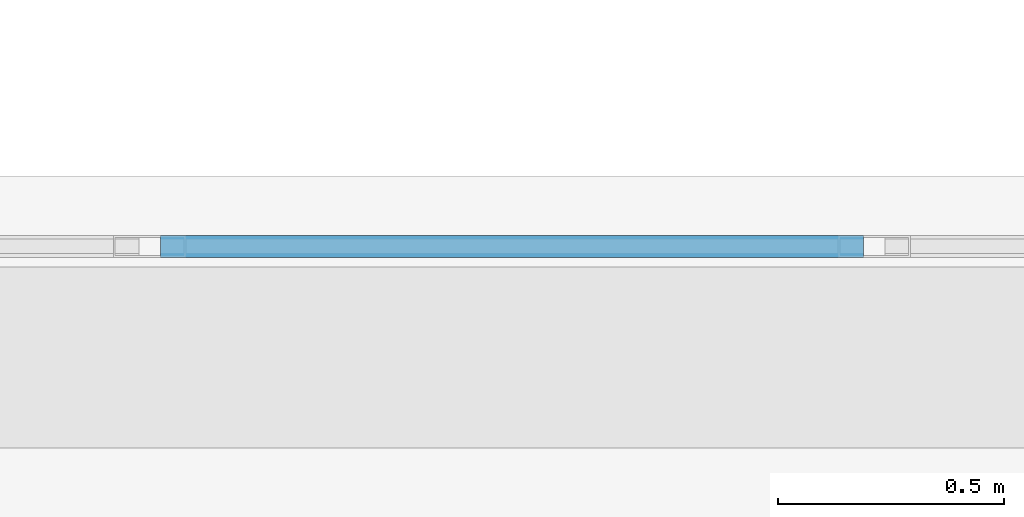
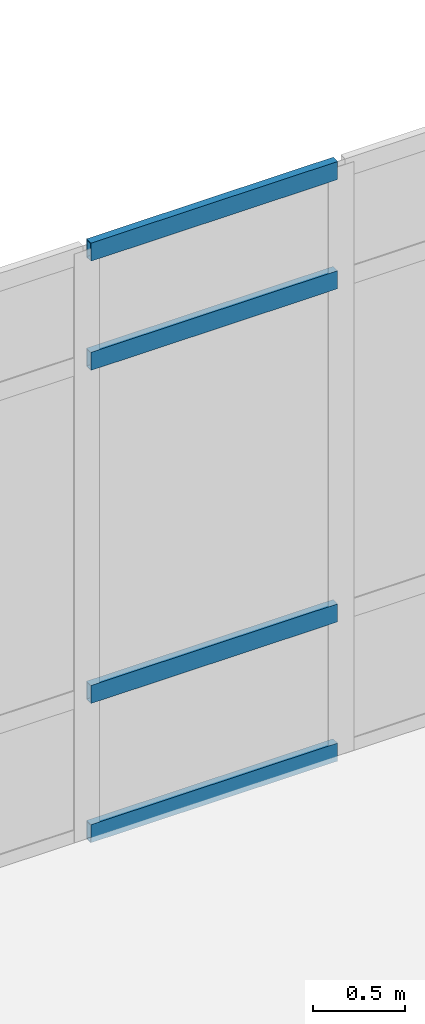
# One storey, part 58 of 193: 4 members, 1 element without a shape of its own.
"""IFC4 building model written with IfcOpenShell, lengths in metres."""

from ifc_helpers import new_model, si_unit, direction, frame, origin, origin_2d, place, context, subcontext, project, spatial, hollow_rectangle, extrude, material, layer, layer_set, material_profile, profile_set, type_object, element, aggregate, save


model = new_model("IFC4")

# Units and contexts
model_context = context("Model", 3, precision=1e-05, world=origin(), true_north=direction((0.0, 1.0)))
body_context = subcontext(model_context, "Body", "Model", "MODEL_VIEW")
ifc_project = project(units=[si_unit("LENGTHUNIT", "METRE"), si_unit("AREAUNIT", "SQUARE_METRE"), si_unit("VOLUMEUNIT", "CUBIC_METRE"), si_unit("PLANEANGLEUNIT", "RADIAN"), si_unit("MASSUNIT", "GRAM", prefix="KILO")], contexts=[model_context])

# Site, building, storey
site_placement = place(None, origin())
site = spatial("IfcSite", under=ifc_project, at=site_placement, CompositionType="ELEMENT")
building_placement = place(site_placement, origin())
building = spatial("IfcBuilding", under=site, at=building_placement, Name="Qalavern Law Courts", CompositionType="ELEMENT")
storey_placement = place(building_placement, frame((0.0, 0.0, 10.199951171875)))
storey = spatial("IfcBuildingStorey", under=building, at=storey_placement, Name="L02", CompositionType="ELEMENT", Elevation=10.199951171875)

# Curtain wall, members
ifc_material_1 = material(Name="Anodised aluminium and insulated glazing", Category="aluminium")
ifc_layer = layer(ifc_material_1, 0.172119140625)
ifc_layer_set = layer_set([ifc_layer], Name="Anodised aluminium and insulated glazing")
curtain_wall_type = type_object("IfcCurtainWallType", Name="ENV-CW-COURT", PredefinedType="USERDEFINED", material=ifc_layer_set)
curtain_wall_placement = place(storey_placement, origin())
curtain_wall = element("IfcCurtainWall", 1, at=curtain_wall_placement, inside=storey, type_object=curtain_wall_type, Name="V6 unitised curtain wall L02 north 5", ObjectType="UNITISED CURTAIN WALL", PredefinedType="USERDEFINED")
ifc_material_2 = material(Name="Anodised aluminium", Category="aluminium")
ifc_material_profile = material_profile(ifc_material_2, hollow_rectangle(XDim=0.048095703125, YDim=0.1201171875, WallThickness=0.00390625, at=origin_2d()), Name="ALU TRANSOM 48x120")
ifc_profile_set = profile_set([ifc_material_profile], Name="Anodised aluminium")
member_type = type_object("IfcMemberType", Name="ENV-CWT-48x120", PredefinedType="USERDEFINED", material=ifc_profile_set)
member_1_placement = place(storey_placement, frame((130.47607421875, 22.445068359375, 0.024169921875), z_axis=(-1.0, 0.0, 0.0), x_axis=(0.0, -1.0, 0.0)))
member_1 = element("IfcMember", 2, at=member_1_placement, type_object=member_type, Name="CW-03 transom 3.1", ObjectType="TRANSOM", PredefinedType="USERDEFINED", context=body_context, shape_type="SweptSolid", body=[
    extrude(hollow_rectangle(XDim=0.048095703125, YDim=0.1201171875, WallThickness=0.00390625, at=origin_2d()), origin(), (0.0, 0.0, 1.0), 1.552001953125),
])
member_2_placement = place(storey_placement, frame((130.47607421875, 22.445068359375, 0.949951171875), z_axis=(-1.0, 0.0, 0.0), x_axis=(0.0, -1.0, 0.0)))
member_2 = element("IfcMember", 3, at=member_2_placement, type_object=member_type, Name="CW-03 transom 3.2", ObjectType="TRANSOM", PredefinedType="USERDEFINED", context=body_context, shape_type="SweptSolid", body=[
    extrude(hollow_rectangle(XDim=0.048095703125, YDim=0.1201171875, WallThickness=0.00390625, at=origin_2d()), origin(), (0.0, 0.0, 1.0), 1.552001953125),
])
member_3_placement = place(storey_placement, frame((130.47607421875, 22.445068359375, 3.1650390625), z_axis=(-1.0, 0.0, 0.0), x_axis=(0.0, -1.0, 0.0)))
member_3 = element("IfcMember", 4, at=member_3_placement, type_object=member_type, Name="CW-03 transom 3.3", ObjectType="TRANSOM", PredefinedType="USERDEFINED", context=body_context, shape_type="SweptSolid", body=[
    extrude(hollow_rectangle(XDim=0.048095703125, YDim=0.1201171875, WallThickness=0.00390625, at=origin_2d()), origin(), (0.0, 0.0, 1.0), 1.552001953125),
])
member_4_placement = place(storey_placement, frame((130.47607421875, 22.445068359375, 3.89111328125), z_axis=(-1.0, 0.0, 0.0), x_axis=(0.0, -1.0, 0.0)))
member_4 = element("IfcMember", 5, at=member_4_placement, type_object=member_type, Name="CW-03 transom 3.4", ObjectType="TRANSOM", PredefinedType="USERDEFINED", context=body_context, shape_type="SweptSolid", body=[
    extrude(hollow_rectangle(XDim=0.048095703125, YDim=0.1201171875, WallThickness=0.00390625, at=origin_2d()), origin(), (0.0, 0.0, 1.0), 1.552001953125),
])
aggregate(curtain_wall, [member_1, member_2, member_3, member_4])

save(model, "model.ifc")
